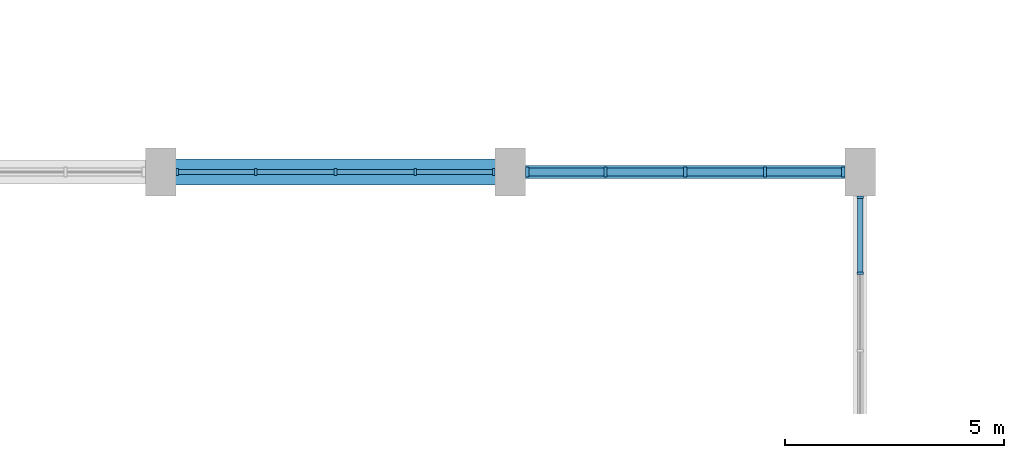
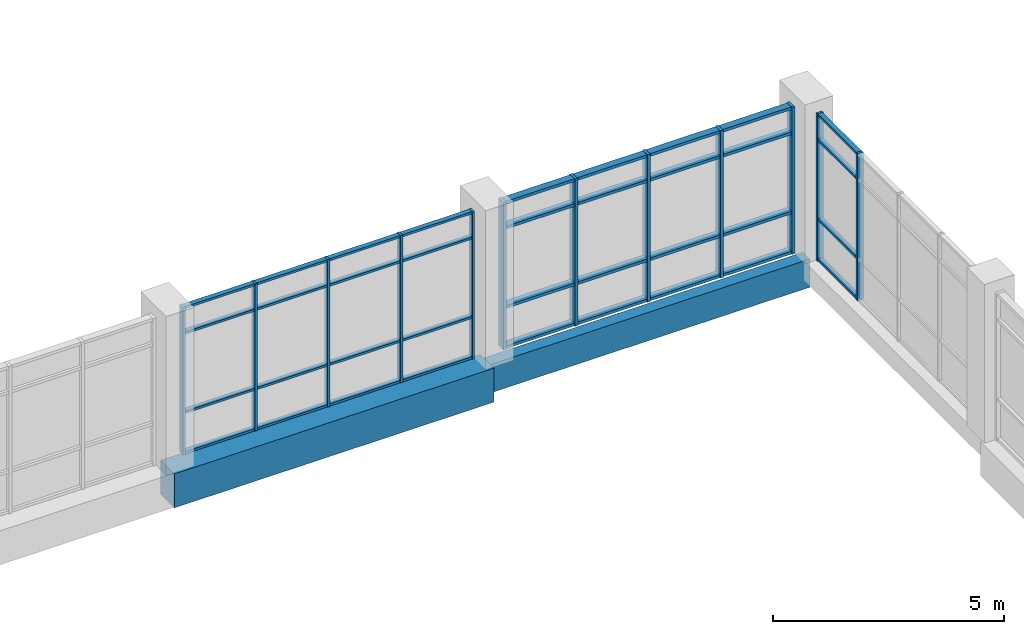
# One storey, part 10 of 72: 48 members, 2 beams, 3 elements without a shape of their own.
"""IFC4 building model written with IfcOpenShell, lengths in metres."""

from ifc_helpers import new_model, si_unit, direction, frame, origin, origin_2d, place, context, subcontext, project, spatial, rectangle, extrude, material, material_profile, profile_set, type_object, element, aggregate, save


model = new_model("IFC4")

# Units and contexts
model_context = context("Model", 3, precision=1e-05, world=origin(), true_north=direction((0.0, 1.0)))
body_context = subcontext(model_context, "Body", "Model", "MODEL_VIEW")
ifc_project = project(units=[si_unit("LENGTHUNIT", "METRE"), si_unit("AREAUNIT", "SQUARE_METRE"), si_unit("VOLUMEUNIT", "CUBIC_METRE"), si_unit("PLANEANGLEUNIT", "RADIAN"), si_unit("MASSUNIT", "GRAM", prefix="KILO")], contexts=[model_context])

# Site, building, storey
site_placement = place(None, origin())
site = spatial("IfcSite", under=ifc_project, at=site_placement, CompositionType="ELEMENT")
building_placement = place(site_placement, origin())
building = spatial("IfcBuilding", under=site, at=building_placement, Name="Tenunan Teduh Sports Hall", CompositionType="ELEMENT")
storey_placement = place(building_placement, frame((0.0, 0.0, 15.0)))
storey = spatial("IfcBuildingStorey", under=building, at=storey_placement, Name="L03", CompositionType="ELEMENT", Elevation=15.0)

# Beams
ifc_material_1 = material(Name="Concrete C40/50", Category="concrete")
ifc_material_profile_1 = material_profile(ifc_material_1, rectangle(XDim=0.60009765625, YDim=0.89990234375, at=origin_2d()), Name="RCB 600x900")
ifc_profile_set_1 = profile_set([ifc_material_profile_1], Name="Concrete C40/50")
beam_type_1 = type_object("IfcBeamType", Name="BM-RC-600x900", PredefinedType="BEAM", material=ifc_profile_set_1)
beam_1_placement = place(storey_placement, frame((38.0, 46.0, -0.68994140625), z_axis=(1.0, 0.0, 0.0), x_axis=(0.0, 1.0, 0.0)))
element("IfcBeam", 1, at=beam_1_placement, inside=storey, type_object=beam_type_1, Name="BM-B-17-L03-1820", PredefinedType="BEAM", context=body_context, shape_type="SweptSolid", body=[
    extrude(rectangle(XDim=0.60009765625, YDim=0.89990234375, at=origin_2d()), origin(), (0.0, 0.0, 1.0), 8.0),
])
ifc_material_2 = material(Name="Concrete C40/50", Category="concrete")
ifc_material_profile_2 = material_profile(ifc_material_2, rectangle(XDim=0.300048828125, YDim=0.75, at=origin_2d()), Name="SPB 300x750")
ifc_profile_set_2 = profile_set([ifc_material_profile_2], Name="Concrete C40/50")
beam_type_2 = type_object("IfcBeamType", Name="BM-SP-300x750", PredefinedType="SPANDREL", material=ifc_profile_set_2)
beam_2_placement = place(storey_placement, frame((46.0, 46.0, -0.614990234375), z_axis=(1.0, 0.0, 0.0), x_axis=(0.0, 1.0, 0.0)))
element("IfcBeam", 2, at=beam_2_placement, inside=storey, type_object=beam_type_2, Name="BM-SP-01-L03-1821", PredefinedType="SPANDREL", context=body_context, shape_type="SweptSolid", body=[
    extrude(rectangle(XDim=0.300048828125, YDim=0.75, at=origin_2d()), origin(), (0.0, 0.0, 1.0), 8.0),
])

# Curtain wall, members
ifc_material_3 = material(Name="Anodised aluminium", Category="aluminium")
curtain_wall_type = type_object("IfcCurtainWallType", Name="CW-UNIT-2", PredefinedType="NOTDEFINED", material=ifc_material_3)
curtain_wall_1_placement = place(storey_placement, origin())
curtain_wall_1 = element("IfcCurtainWall", 3, at=curtain_wall_1_placement, inside=storey, type_object=curtain_wall_type, Name="CW-CWM-150-L03-083", PredefinedType="NOTDEFINED")
ifc_material_4 = material(Name="Anodised aluminium", Category="aluminium")
ifc_material_profile_3 = material_profile(ifc_material_4, rectangle(XDim=0.06005859375, YDim=0.14990234375, at=origin_2d()), Name="CWM 60x150")
ifc_profile_set_3 = profile_set([ifc_material_profile_3], Name="Anodised aluminium")
member_type_1 = type_object("IfcMemberType", Name="CWM-150", PredefinedType="MULLION", material=ifc_profile_set_3)
member_1_placement = place(storey_placement, frame((38.3798828125, 46.0, 0.0), z_axis=(0.0, 0.0, 1.0), x_axis=(1.0, 0.0, 0.0)))
member_1 = element("IfcMember", 4, at=member_1_placement, type_object=member_type_1, Name="CW-02 mullion 1", PredefinedType="MULLION", context=body_context, shape_type="SweptSolid", body=[
    extrude(rectangle(XDim=0.06005859375, YDim=0.14990234375, at=origin_2d()), origin(), (0.0, 0.0, 1.0), 3.89990234375),
])
member_2_placement = place(storey_placement, frame((40.175048828125, 46.0, 0.0), z_axis=(0.0, 0.0, 1.0), x_axis=(1.0, 0.0, 0.0)))
member_2 = element("IfcMember", 5, at=member_2_placement, type_object=member_type_1, Name="CW-02 mullion 2", PredefinedType="MULLION", context=body_context, shape_type="SweptSolid", body=[
    extrude(rectangle(XDim=0.06005859375, YDim=0.14990234375, at=origin_2d()), origin(), (0.0, 0.0, 1.0), 3.89990234375),
])
member_3_placement = place(storey_placement, frame((42.0, 46.0, 0.0), z_axis=(0.0, 0.0, 1.0), x_axis=(1.0, 0.0, 0.0)))
member_3 = element("IfcMember", 6, at=member_3_placement, type_object=member_type_1, Name="CW-02 mullion 3", PredefinedType="MULLION", context=body_context, shape_type="SweptSolid", body=[
    extrude(rectangle(XDim=0.06005859375, YDim=0.14990234375, at=origin_2d()), origin(), (0.0, 0.0, 1.0), 3.89990234375),
])
member_4_placement = place(storey_placement, frame((43.824951171875, 46.0, 0.0), z_axis=(0.0, 0.0, 1.0), x_axis=(1.0, 0.0, 0.0)))
member_4 = element("IfcMember", 7, at=member_4_placement, type_object=member_type_1, Name="CW-02 mullion 4", PredefinedType="MULLION", context=body_context, shape_type="SweptSolid", body=[
    extrude(rectangle(XDim=0.06005859375, YDim=0.14990234375, at=origin_2d()), origin(), (0.0, 0.0, 1.0), 3.89990234375),
])
member_5_placement = place(storey_placement, frame((45.6201171875, 46.0, 0.0), z_axis=(0.0, 0.0, 1.0), x_axis=(1.0, 0.0, 0.0)))
member_5 = element("IfcMember", 8, at=member_5_placement, type_object=member_type_1, Name="CW-02 mullion 5", PredefinedType="MULLION", context=body_context, shape_type="SweptSolid", body=[
    extrude(rectangle(XDim=0.06005859375, YDim=0.14990234375, at=origin_2d()), origin(), (0.0, 0.0, 1.0), 3.89990234375),
])

curtain_wall_2_placement = place(storey_placement, origin())
curtain_wall_2 = element("IfcCurtainWall", 9, at=curtain_wall_2_placement, inside=storey, type_object=curtain_wall_type, Name="CW-CWM-150-L03-091", PredefinedType="NOTDEFINED")
member_6_placement = place(storey_placement, frame((54.0, 43.68115234375, 0.0), z_axis=(0.0, 0.0, 1.0), x_axis=(0.0, 1.0, 0.0)))
member_6 = element("IfcMember", 10, at=member_6_placement, type_object=member_type_1, Name="CW-02 mullion 4", PredefinedType="MULLION", context=body_context, shape_type="SweptSolid", body=[
    extrude(rectangle(XDim=0.06005859375, YDim=0.14990234375, at=origin_2d()), origin(), (0.0, 0.0, 1.0), 3.89990234375),
])
member_7_placement = place(storey_placement, frame((54.0, 45.419921875, 0.0), z_axis=(0.0, 0.0, 1.0), x_axis=(0.0, 1.0, 0.0)))
member_7 = element("IfcMember", 11, at=member_7_placement, type_object=member_type_1, Name="CW-02 mullion 5", PredefinedType="MULLION", context=body_context, shape_type="SweptSolid", body=[
    extrude(rectangle(XDim=0.06005859375, YDim=0.14990234375, at=origin_2d()), origin(), (0.0, 0.0, 1.0), 3.89990234375),
])

curtain_wall_3_placement = place(storey_placement, origin())
curtain_wall_3 = element("IfcCurtainWall", 12, at=curtain_wall_3_placement, inside=storey, type_object=curtain_wall_type, Name="CW-CWM-220-L03-085", PredefinedType="NOTDEFINED")
ifc_material_5 = material(Name="Anodised aluminium", Category="aluminium")
ifc_material_profile_4 = material_profile(ifc_material_5, rectangle(XDim=0.074951171875, YDim=0.219970703125, at=origin_2d()), Name="CWM 75x220")
ifc_profile_set_4 = profile_set([ifc_material_profile_4], Name="Anodised aluminium")
member_type_2 = type_object("IfcMemberType", Name="CWM-220", PredefinedType="MULLION", material=ifc_profile_set_4)
member_8_placement = place(storey_placement, frame((46.387451171875, 46.0, 0.0), z_axis=(0.0, 0.0, 1.0), x_axis=(1.0, 0.0, 0.0)))
member_8 = element("IfcMember", 13, at=member_8_placement, type_object=member_type_2, Name="CW-02 mullion 1", PredefinedType="MULLION", context=body_context, shape_type="SweptSolid", body=[
    extrude(rectangle(XDim=0.074951171875, YDim=0.219970703125, at=origin_2d()), origin(), (0.0, 0.0, 1.0), 3.89990234375),
])
member_9_placement = place(storey_placement, frame((48.175048828125, 46.0, 0.0), z_axis=(0.0, 0.0, 1.0), x_axis=(1.0, 0.0, 0.0)))
member_9 = element("IfcMember", 14, at=member_9_placement, type_object=member_type_2, Name="CW-02 mullion 2", PredefinedType="MULLION", context=body_context, shape_type="SweptSolid", body=[
    extrude(rectangle(XDim=0.074951171875, YDim=0.219970703125, at=origin_2d()), origin(), (0.0, 0.0, 1.0), 3.89990234375),
])
member_10_placement = place(storey_placement, frame((50.0, 46.0, 0.0), z_axis=(0.0, 0.0, 1.0), x_axis=(1.0, 0.0, 0.0)))
member_10 = element("IfcMember", 15, at=member_10_placement, type_object=member_type_2, Name="CW-02 mullion 3", PredefinedType="MULLION", context=body_context, shape_type="SweptSolid", body=[
    extrude(rectangle(XDim=0.074951171875, YDim=0.219970703125, at=origin_2d()), origin(), (0.0, 0.0, 1.0), 3.89990234375),
])
member_11_placement = place(storey_placement, frame((51.824951171875, 46.0, 0.0), z_axis=(0.0, 0.0, 1.0), x_axis=(1.0, 0.0, 0.0)))
member_11 = element("IfcMember", 16, at=member_11_placement, type_object=member_type_2, Name="CW-02 mullion 4", PredefinedType="MULLION", context=body_context, shape_type="SweptSolid", body=[
    extrude(rectangle(XDim=0.074951171875, YDim=0.219970703125, at=origin_2d()), origin(), (0.0, 0.0, 1.0), 3.89990234375),
])
member_12_placement = place(storey_placement, frame((53.612548828125, 46.0, 0.0), z_axis=(0.0, 0.0, 1.0), x_axis=(1.0, 0.0, 0.0)))
member_12 = element("IfcMember", 17, at=member_12_placement, type_object=member_type_2, Name="CW-02 mullion 5", PredefinedType="MULLION", context=body_context, shape_type="SweptSolid", body=[
    extrude(rectangle(XDim=0.074951171875, YDim=0.219970703125, at=origin_2d()), origin(), (0.0, 0.0, 1.0), 3.89990234375),
])

# Member
ifc_material_6 = material(Name="Anodised aluminium", Category="aluminium")
ifc_material_profile_5 = material_profile(ifc_material_6, rectangle(XDim=0.06005859375, YDim=0.1201171875, at=origin_2d()), Name="CWT 60x120")
ifc_profile_set_5 = profile_set([ifc_material_profile_5], Name="Anodised aluminium")
member_type_3 = type_object("IfcMemberType", Name="CWT-125", PredefinedType="USERDEFINED", material=ifc_profile_set_5)
member_13_placement = place(storey_placement, frame((38.409912109375, 46.0, 0.030029296875), z_axis=(1.0, 0.0, 0.0), x_axis=(0.0, 0.0, 1.0)))
member_13 = element("IfcMember", 18, at=member_13_placement, type_object=member_type_3, Name="CW-02 transom 1.1", ObjectType="TRANSOM", PredefinedType="USERDEFINED", context=body_context, shape_type="SweptSolid", body=[
    extrude(rectangle(XDim=0.06005859375, YDim=0.1201171875, at=origin_2d()), origin(), (0.0, 0.0, 1.0), 1.735107421875),
])

member_14_placement = place(storey_placement, frame((38.409912109375, 46.0, 1.10009765625), z_axis=(1.0, 0.0, 0.0), x_axis=(0.0, 0.0, 1.0)))
member_14 = element("IfcMember", 19, at=member_14_placement, type_object=member_type_3, Name="CW-02 transom 1.2", ObjectType="TRANSOM", PredefinedType="USERDEFINED", context=body_context, shape_type="SweptSolid", body=[
    extrude(rectangle(XDim=0.06005859375, YDim=0.1201171875, at=origin_2d()), origin(), (0.0, 0.0, 1.0), 1.735107421875),
])

member_15_placement = place(storey_placement, frame((38.409912109375, 46.0, 3.199951171875), z_axis=(1.0, 0.0, 0.0), x_axis=(0.0, 0.0, 1.0)))
member_15 = element("IfcMember", 20, at=member_15_placement, type_object=member_type_3, Name="CW-02 transom 1.3", ObjectType="TRANSOM", PredefinedType="USERDEFINED", context=body_context, shape_type="SweptSolid", body=[
    extrude(rectangle(XDim=0.06005859375, YDim=0.1201171875, at=origin_2d()), origin(), (0.0, 0.0, 1.0), 1.735107421875),
])

member_16_placement = place(storey_placement, frame((38.409912109375, 46.0, 3.8701171875), z_axis=(1.0, 0.0, 0.0), x_axis=(0.0, 0.0, 1.0)))
member_16 = element("IfcMember", 21, at=member_16_placement, type_object=member_type_3, Name="CW-02 transom 1.4", ObjectType="TRANSOM", PredefinedType="USERDEFINED", context=body_context, shape_type="SweptSolid", body=[
    extrude(rectangle(XDim=0.06005859375, YDim=0.1201171875, at=origin_2d()), origin(), (0.0, 0.0, 1.0), 1.735107421875),
])

member_17_placement = place(storey_placement, frame((40.205078125, 46.0, 0.030029296875), z_axis=(1.0, 0.0, 0.0), x_axis=(0.0, 0.0, 1.0)))
member_17 = element("IfcMember", 22, at=member_17_placement, type_object=member_type_3, Name="CW-02 transom 2.1", ObjectType="TRANSOM", PredefinedType="USERDEFINED", context=body_context, shape_type="SweptSolid", body=[
    extrude(rectangle(XDim=0.06005859375, YDim=0.1201171875, at=origin_2d()), origin(), (0.0, 0.0, 1.0), 1.764892578125),
])

member_18_placement = place(storey_placement, frame((40.205078125, 46.0, 1.10009765625), z_axis=(1.0, 0.0, 0.0), x_axis=(0.0, 0.0, 1.0)))
member_18 = element("IfcMember", 23, at=member_18_placement, type_object=member_type_3, Name="CW-02 transom 2.2", ObjectType="TRANSOM", PredefinedType="USERDEFINED", context=body_context, shape_type="SweptSolid", body=[
    extrude(rectangle(XDim=0.06005859375, YDim=0.1201171875, at=origin_2d()), origin(), (0.0, 0.0, 1.0), 1.764892578125),
])

member_19_placement = place(storey_placement, frame((40.205078125, 46.0, 3.199951171875), z_axis=(1.0, 0.0, 0.0), x_axis=(0.0, 0.0, 1.0)))
member_19 = element("IfcMember", 24, at=member_19_placement, type_object=member_type_3, Name="CW-02 transom 2.3", ObjectType="TRANSOM", PredefinedType="USERDEFINED", context=body_context, shape_type="SweptSolid", body=[
    extrude(rectangle(XDim=0.06005859375, YDim=0.1201171875, at=origin_2d()), origin(), (0.0, 0.0, 1.0), 1.764892578125),
])

member_20_placement = place(storey_placement, frame((40.205078125, 46.0, 3.8701171875), z_axis=(1.0, 0.0, 0.0), x_axis=(0.0, 0.0, 1.0)))
member_20 = element("IfcMember", 25, at=member_20_placement, type_object=member_type_3, Name="CW-02 transom 2.4", ObjectType="TRANSOM", PredefinedType="USERDEFINED", context=body_context, shape_type="SweptSolid", body=[
    extrude(rectangle(XDim=0.06005859375, YDim=0.1201171875, at=origin_2d()), origin(), (0.0, 0.0, 1.0), 1.764892578125),
])

member_21_placement = place(storey_placement, frame((42.030029296875, 46.0, 0.030029296875), z_axis=(1.0, 0.0, 0.0), x_axis=(0.0, 0.0, 1.0)))
member_21 = element("IfcMember", 26, at=member_21_placement, type_object=member_type_3, Name="CW-02 transom 3.1", ObjectType="TRANSOM", PredefinedType="USERDEFINED", context=body_context, shape_type="SweptSolid", body=[
    extrude(rectangle(XDim=0.06005859375, YDim=0.1201171875, at=origin_2d()), origin(), (0.0, 0.0, 1.0), 1.764892578125),
])

member_22_placement = place(storey_placement, frame((42.030029296875, 46.0, 1.10009765625), z_axis=(1.0, 0.0, 0.0), x_axis=(0.0, 0.0, 1.0)))
member_22 = element("IfcMember", 27, at=member_22_placement, type_object=member_type_3, Name="CW-02 transom 3.2", ObjectType="TRANSOM", PredefinedType="USERDEFINED", context=body_context, shape_type="SweptSolid", body=[
    extrude(rectangle(XDim=0.06005859375, YDim=0.1201171875, at=origin_2d()), origin(), (0.0, 0.0, 1.0), 1.764892578125),
])

member_23_placement = place(storey_placement, frame((42.030029296875, 46.0, 3.199951171875), z_axis=(1.0, 0.0, 0.0), x_axis=(0.0, 0.0, 1.0)))
member_23 = element("IfcMember", 28, at=member_23_placement, type_object=member_type_3, Name="CW-02 transom 3.3", ObjectType="TRANSOM", PredefinedType="USERDEFINED", context=body_context, shape_type="SweptSolid", body=[
    extrude(rectangle(XDim=0.06005859375, YDim=0.1201171875, at=origin_2d()), origin(), (0.0, 0.0, 1.0), 1.764892578125),
])

member_24_placement = place(storey_placement, frame((42.030029296875, 46.0, 3.8701171875), z_axis=(1.0, 0.0, 0.0), x_axis=(0.0, 0.0, 1.0)))
member_24 = element("IfcMember", 29, at=member_24_placement, type_object=member_type_3, Name="CW-02 transom 3.4", ObjectType="TRANSOM", PredefinedType="USERDEFINED", context=body_context, shape_type="SweptSolid", body=[
    extrude(rectangle(XDim=0.06005859375, YDim=0.1201171875, at=origin_2d()), origin(), (0.0, 0.0, 1.0), 1.764892578125),
])

member_25_placement = place(storey_placement, frame((43.85498046875, 46.0, 0.030029296875), z_axis=(1.0, 0.0, 0.0), x_axis=(0.0, 0.0, 1.0)))
member_25 = element("IfcMember", 30, at=member_25_placement, type_object=member_type_3, Name="CW-02 transom 4.1", ObjectType="TRANSOM", PredefinedType="USERDEFINED", context=body_context, shape_type="SweptSolid", body=[
    extrude(rectangle(XDim=0.06005859375, YDim=0.1201171875, at=origin_2d()), origin(), (0.0, 0.0, 1.0), 1.735107421875),
])

member_26_placement = place(storey_placement, frame((43.85498046875, 46.0, 1.10009765625), z_axis=(1.0, 0.0, 0.0), x_axis=(0.0, 0.0, 1.0)))
member_26 = element("IfcMember", 31, at=member_26_placement, type_object=member_type_3, Name="CW-02 transom 4.2", ObjectType="TRANSOM", PredefinedType="USERDEFINED", context=body_context, shape_type="SweptSolid", body=[
    extrude(rectangle(XDim=0.06005859375, YDim=0.1201171875, at=origin_2d()), origin(), (0.0, 0.0, 1.0), 1.735107421875),
])

member_27_placement = place(storey_placement, frame((43.85498046875, 46.0, 3.199951171875), z_axis=(1.0, 0.0, 0.0), x_axis=(0.0, 0.0, 1.0)))
member_27 = element("IfcMember", 32, at=member_27_placement, type_object=member_type_3, Name="CW-02 transom 4.3", ObjectType="TRANSOM", PredefinedType="USERDEFINED", context=body_context, shape_type="SweptSolid", body=[
    extrude(rectangle(XDim=0.06005859375, YDim=0.1201171875, at=origin_2d()), origin(), (0.0, 0.0, 1.0), 1.735107421875),
])

member_28_placement = place(storey_placement, frame((43.85498046875, 46.0, 3.8701171875), z_axis=(1.0, 0.0, 0.0), x_axis=(0.0, 0.0, 1.0)))
member_28 = element("IfcMember", 33, at=member_28_placement, type_object=member_type_3, Name="CW-02 transom 4.4", ObjectType="TRANSOM", PredefinedType="USERDEFINED", context=body_context, shape_type="SweptSolid", body=[
    extrude(rectangle(XDim=0.06005859375, YDim=0.1201171875, at=origin_2d()), origin(), (0.0, 0.0, 1.0), 1.735107421875),
])

aggregate(curtain_wall_1, [member_1, member_2, member_3, member_4, member_5, member_13, member_14, member_15, member_16, member_17, member_18, member_19, member_20, member_21, member_22, member_23, member_24, member_25, member_26, member_27, member_28])

member_29_placement = place(storey_placement, frame((54.0, 43.711181640625, 0.030029296875), z_axis=(0.0, 1.0, 0.0), x_axis=(0.0, 0.0, 1.0)))
member_29 = element("IfcMember", 34, at=member_29_placement, type_object=member_type_3, Name="CW-02 transom 4.1", ObjectType="TRANSOM", PredefinedType="USERDEFINED", context=body_context, shape_type="SweptSolid", body=[
    extrude(rectangle(XDim=0.06005859375, YDim=0.1201171875, at=origin_2d()), origin(), (0.0, 0.0, 1.0), 1.6787109375),
])

member_30_placement = place(storey_placement, frame((54.0, 43.711181640625, 1.10009765625), z_axis=(0.0, 1.0, 0.0), x_axis=(0.0, 0.0, 1.0)))
member_30 = element("IfcMember", 35, at=member_30_placement, type_object=member_type_3, Name="CW-02 transom 4.2", ObjectType="TRANSOM", PredefinedType="USERDEFINED", context=body_context, shape_type="SweptSolid", body=[
    extrude(rectangle(XDim=0.06005859375, YDim=0.1201171875, at=origin_2d()), origin(), (0.0, 0.0, 1.0), 1.6787109375),
])

member_31_placement = place(storey_placement, frame((54.0, 43.711181640625, 3.199951171875), z_axis=(0.0, 1.0, 0.0), x_axis=(0.0, 0.0, 1.0)))
member_31 = element("IfcMember", 36, at=member_31_placement, type_object=member_type_3, Name="CW-02 transom 4.3", ObjectType="TRANSOM", PredefinedType="USERDEFINED", context=body_context, shape_type="SweptSolid", body=[
    extrude(rectangle(XDim=0.06005859375, YDim=0.1201171875, at=origin_2d()), origin(), (0.0, 0.0, 1.0), 1.6787109375),
])

member_32_placement = place(storey_placement, frame((54.0, 43.711181640625, 3.8701171875), z_axis=(0.0, 1.0, 0.0), x_axis=(0.0, 0.0, 1.0)))
member_32 = element("IfcMember", 37, at=member_32_placement, type_object=member_type_3, Name="CW-02 transom 4.4", ObjectType="TRANSOM", PredefinedType="USERDEFINED", context=body_context, shape_type="SweptSolid", body=[
    extrude(rectangle(XDim=0.06005859375, YDim=0.1201171875, at=origin_2d()), origin(), (0.0, 0.0, 1.0), 1.6787109375),
])

aggregate(curtain_wall_2, [member_6, member_7, member_29, member_30, member_31, member_32])

ifc_material_7 = material(Name="Anodised aluminium", Category="aluminium")
ifc_material_profile_6 = material_profile(ifc_material_7, rectangle(XDim=0.074951171875, YDim=0.179931640625, at=origin_2d()), Name="CWT 75x180")
ifc_profile_set_6 = profile_set([ifc_material_profile_6], Name="Anodised aluminium")
member_type_4 = type_object("IfcMemberType", Name="CWT-180", PredefinedType="USERDEFINED", material=ifc_profile_set_6)
member_33_placement = place(storey_placement, frame((46.425048828125, 46.0, 0.03759765625), z_axis=(1.0, 0.0, 0.0), x_axis=(0.0, 0.0, 1.0)))
member_33 = element("IfcMember", 38, at=member_33_placement, type_object=member_type_4, Name="CW-02 transom 1.1", ObjectType="TRANSOM", PredefinedType="USERDEFINED", context=body_context, shape_type="SweptSolid", body=[
    extrude(rectangle(XDim=0.074951171875, YDim=0.179931640625, at=origin_2d()), origin(), (0.0, 0.0, 1.0), 1.71240234375),
])

member_34_placement = place(storey_placement, frame((46.425048828125, 46.0, 1.10009765625), z_axis=(1.0, 0.0, 0.0), x_axis=(0.0, 0.0, 1.0)))
member_34 = element("IfcMember", 39, at=member_34_placement, type_object=member_type_4, Name="CW-02 transom 1.2", ObjectType="TRANSOM", PredefinedType="USERDEFINED", context=body_context, shape_type="SweptSolid", body=[
    extrude(rectangle(XDim=0.074951171875, YDim=0.179931640625, at=origin_2d()), origin(), (0.0, 0.0, 1.0), 1.71240234375),
])

member_35_placement = place(storey_placement, frame((46.425048828125, 46.0, 3.199951171875), z_axis=(1.0, 0.0, 0.0), x_axis=(0.0, 0.0, 1.0)))
member_35 = element("IfcMember", 40, at=member_35_placement, type_object=member_type_4, Name="CW-02 transom 1.3", ObjectType="TRANSOM", PredefinedType="USERDEFINED", context=body_context, shape_type="SweptSolid", body=[
    extrude(rectangle(XDim=0.074951171875, YDim=0.179931640625, at=origin_2d()), origin(), (0.0, 0.0, 1.0), 1.71240234375),
])

member_36_placement = place(storey_placement, frame((46.425048828125, 46.0, 3.862548828125), z_axis=(1.0, 0.0, 0.0), x_axis=(0.0, 0.0, 1.0)))
member_36 = element("IfcMember", 41, at=member_36_placement, type_object=member_type_4, Name="CW-02 transom 1.4", ObjectType="TRANSOM", PredefinedType="USERDEFINED", context=body_context, shape_type="SweptSolid", body=[
    extrude(rectangle(XDim=0.074951171875, YDim=0.179931640625, at=origin_2d()), origin(), (0.0, 0.0, 1.0), 1.71240234375),
])

member_37_placement = place(storey_placement, frame((48.21240234375, 46.0, 0.03759765625), z_axis=(1.0, 0.0, 0.0), x_axis=(0.0, 0.0, 1.0)))
member_37 = element("IfcMember", 42, at=member_37_placement, type_object=member_type_4, Name="CW-02 transom 2.1", ObjectType="TRANSOM", PredefinedType="USERDEFINED", context=body_context, shape_type="SweptSolid", body=[
    extrude(rectangle(XDim=0.074951171875, YDim=0.179931640625, at=origin_2d()), origin(), (0.0, 0.0, 1.0), 1.75),
])

member_38_placement = place(storey_placement, frame((48.21240234375, 46.0, 1.10009765625), z_axis=(1.0, 0.0, 0.0), x_axis=(0.0, 0.0, 1.0)))
member_38 = element("IfcMember", 43, at=member_38_placement, type_object=member_type_4, Name="CW-02 transom 2.2", ObjectType="TRANSOM", PredefinedType="USERDEFINED", context=body_context, shape_type="SweptSolid", body=[
    extrude(rectangle(XDim=0.074951171875, YDim=0.179931640625, at=origin_2d()), origin(), (0.0, 0.0, 1.0), 1.75),
])

member_39_placement = place(storey_placement, frame((48.21240234375, 46.0, 3.199951171875), z_axis=(1.0, 0.0, 0.0), x_axis=(0.0, 0.0, 1.0)))
member_39 = element("IfcMember", 44, at=member_39_placement, type_object=member_type_4, Name="CW-02 transom 2.3", ObjectType="TRANSOM", PredefinedType="USERDEFINED", context=body_context, shape_type="SweptSolid", body=[
    extrude(rectangle(XDim=0.074951171875, YDim=0.179931640625, at=origin_2d()), origin(), (0.0, 0.0, 1.0), 1.75),
])

member_40_placement = place(storey_placement, frame((48.21240234375, 46.0, 3.862548828125), z_axis=(1.0, 0.0, 0.0), x_axis=(0.0, 0.0, 1.0)))
member_40 = element("IfcMember", 45, at=member_40_placement, type_object=member_type_4, Name="CW-02 transom 2.4", ObjectType="TRANSOM", PredefinedType="USERDEFINED", context=body_context, shape_type="SweptSolid", body=[
    extrude(rectangle(XDim=0.074951171875, YDim=0.179931640625, at=origin_2d()), origin(), (0.0, 0.0, 1.0), 1.75),
])

member_41_placement = place(storey_placement, frame((50.03759765625, 46.0, 0.03759765625), z_axis=(1.0, 0.0, 0.0), x_axis=(0.0, 0.0, 1.0)))
member_41 = element("IfcMember", 46, at=member_41_placement, type_object=member_type_4, Name="CW-02 transom 3.1", ObjectType="TRANSOM", PredefinedType="USERDEFINED", context=body_context, shape_type="SweptSolid", body=[
    extrude(rectangle(XDim=0.074951171875, YDim=0.179931640625, at=origin_2d()), origin(), (0.0, 0.0, 1.0), 1.75),
])

member_42_placement = place(storey_placement, frame((50.03759765625, 46.0, 1.10009765625), z_axis=(1.0, 0.0, 0.0), x_axis=(0.0, 0.0, 1.0)))
member_42 = element("IfcMember", 47, at=member_42_placement, type_object=member_type_4, Name="CW-02 transom 3.2", ObjectType="TRANSOM", PredefinedType="USERDEFINED", context=body_context, shape_type="SweptSolid", body=[
    extrude(rectangle(XDim=0.074951171875, YDim=0.179931640625, at=origin_2d()), origin(), (0.0, 0.0, 1.0), 1.75),
])

member_43_placement = place(storey_placement, frame((50.03759765625, 46.0, 3.199951171875), z_axis=(1.0, 0.0, 0.0), x_axis=(0.0, 0.0, 1.0)))
member_43 = element("IfcMember", 48, at=member_43_placement, type_object=member_type_4, Name="CW-02 transom 3.3", ObjectType="TRANSOM", PredefinedType="USERDEFINED", context=body_context, shape_type="SweptSolid", body=[
    extrude(rectangle(XDim=0.074951171875, YDim=0.179931640625, at=origin_2d()), origin(), (0.0, 0.0, 1.0), 1.75),
])

member_44_placement = place(storey_placement, frame((50.03759765625, 46.0, 3.862548828125), z_axis=(1.0, 0.0, 0.0), x_axis=(0.0, 0.0, 1.0)))
member_44 = element("IfcMember", 49, at=member_44_placement, type_object=member_type_4, Name="CW-02 transom 3.4", ObjectType="TRANSOM", PredefinedType="USERDEFINED", context=body_context, shape_type="SweptSolid", body=[
    extrude(rectangle(XDim=0.074951171875, YDim=0.179931640625, at=origin_2d()), origin(), (0.0, 0.0, 1.0), 1.75),
])

member_45_placement = place(storey_placement, frame((51.862548828125, 46.0, 0.03759765625), z_axis=(1.0, 0.0, 0.0), x_axis=(0.0, 0.0, 1.0)))
member_45 = element("IfcMember", 50, at=member_45_placement, type_object=member_type_4, Name="CW-02 transom 4.1", ObjectType="TRANSOM", PredefinedType="USERDEFINED", context=body_context, shape_type="SweptSolid", body=[
    extrude(rectangle(XDim=0.074951171875, YDim=0.179931640625, at=origin_2d()), origin(), (0.0, 0.0, 1.0), 1.71240234375),
])

member_46_placement = place(storey_placement, frame((51.862548828125, 46.0, 1.10009765625), z_axis=(1.0, 0.0, 0.0), x_axis=(0.0, 0.0, 1.0)))
member_46 = element("IfcMember", 51, at=member_46_placement, type_object=member_type_4, Name="CW-02 transom 4.2", ObjectType="TRANSOM", PredefinedType="USERDEFINED", context=body_context, shape_type="SweptSolid", body=[
    extrude(rectangle(XDim=0.074951171875, YDim=0.179931640625, at=origin_2d()), origin(), (0.0, 0.0, 1.0), 1.71240234375),
])

member_47_placement = place(storey_placement, frame((51.862548828125, 46.0, 3.199951171875), z_axis=(1.0, 0.0, 0.0), x_axis=(0.0, 0.0, 1.0)))
member_47 = element("IfcMember", 52, at=member_47_placement, type_object=member_type_4, Name="CW-02 transom 4.3", ObjectType="TRANSOM", PredefinedType="USERDEFINED", context=body_context, shape_type="SweptSolid", body=[
    extrude(rectangle(XDim=0.074951171875, YDim=0.179931640625, at=origin_2d()), origin(), (0.0, 0.0, 1.0), 1.71240234375),
])

member_48_placement = place(storey_placement, frame((51.862548828125, 46.0, 3.862548828125), z_axis=(1.0, 0.0, 0.0), x_axis=(0.0, 0.0, 1.0)))
member_48 = element("IfcMember", 53, at=member_48_placement, type_object=member_type_4, Name="CW-02 transom 4.4", ObjectType="TRANSOM", PredefinedType="USERDEFINED", context=body_context, shape_type="SweptSolid", body=[
    extrude(rectangle(XDim=0.074951171875, YDim=0.179931640625, at=origin_2d()), origin(), (0.0, 0.0, 1.0), 1.71240234375),
])

aggregate(curtain_wall_3, [member_8, member_9, member_10, member_11, member_12, member_33, member_34, member_35, member_36, member_37, member_38, member_39, member_40, member_41, member_42, member_43, member_44, member_45, member_46, member_47, member_48])

save(model, "model.ifc")
